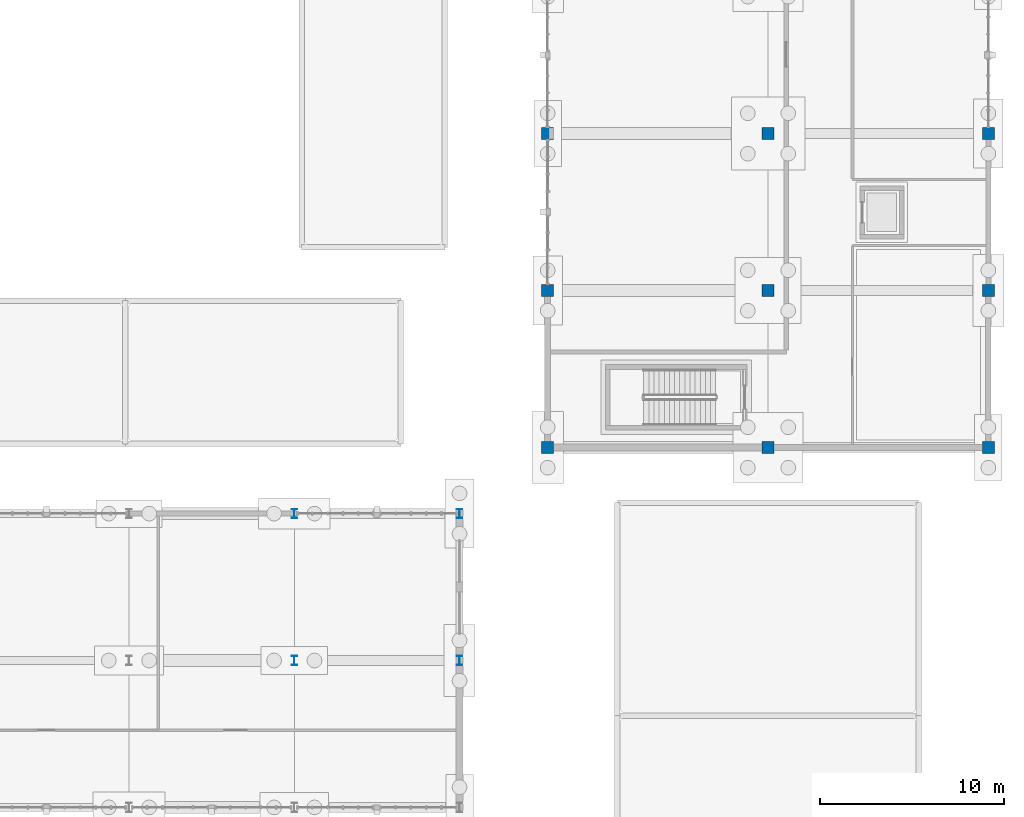
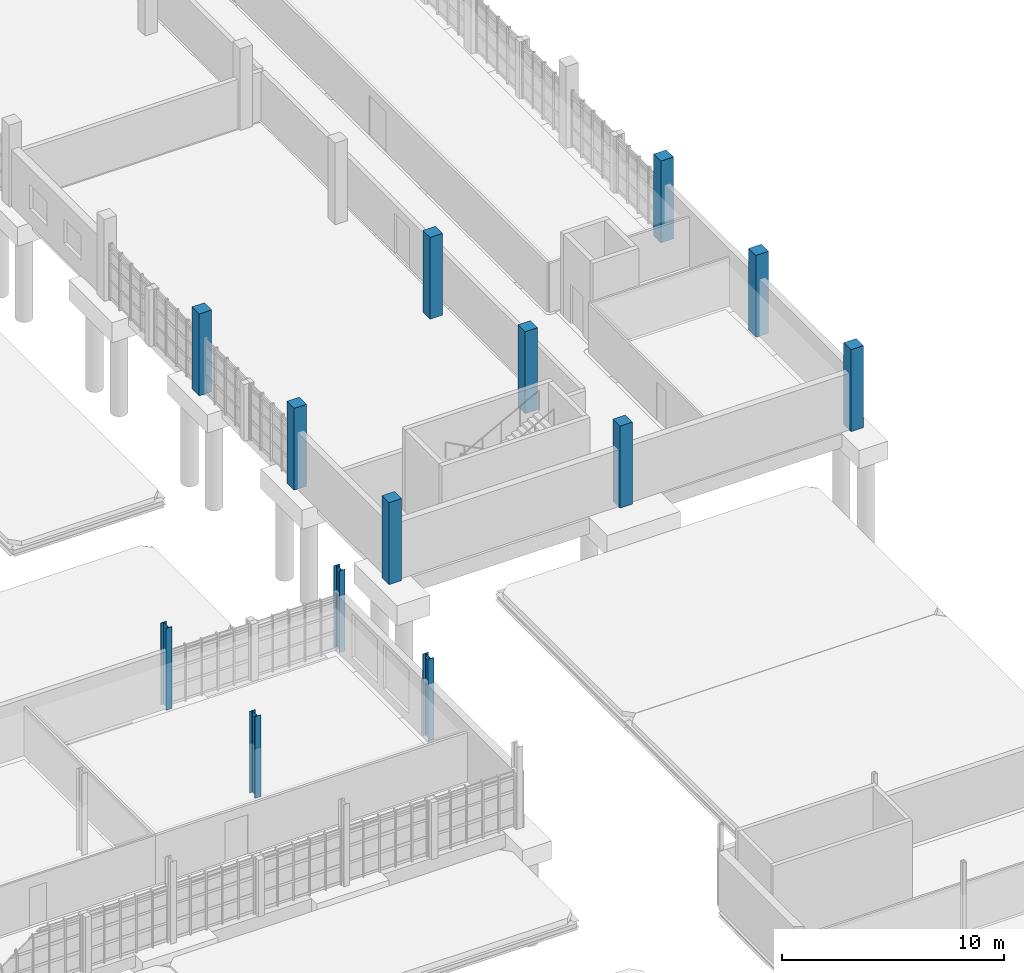
# One storey, part 12 of 125: 13 columns.
"""IFC4 building model written with IfcOpenShell, lengths in metres."""

from ifc_helpers import new_model, si_unit, direction, frame, origin, origin_2d, place, context, subcontext, project, spatial, rectangle, i_section, extrude, material, material_profile, profile_set, type_object, element, save


model = new_model("IFC4")

# Units and contexts
model_context = context("Model", 3, precision=1e-05, world=origin(), true_north=direction((0.0, 1.0)))
body_context = subcontext(model_context, "Body", "Model", "MODEL_VIEW")
ifc_project = project(units=[si_unit("LENGTHUNIT", "METRE"), si_unit("AREAUNIT", "SQUARE_METRE"), si_unit("VOLUMEUNIT", "CUBIC_METRE"), si_unit("PLANEANGLEUNIT", "RADIAN"), si_unit("MASSUNIT", "GRAM", prefix="KILO")], contexts=[model_context])

# Site, building, storey
site_placement = place(None, origin())
site = spatial("IfcSite", under=ifc_project, at=site_placement, CompositionType="ELEMENT")
building_placement = place(site_placement, origin())
building = spatial("IfcBuilding", under=site, at=building_placement, Name="Serraforn Aerial Cableway Station", CompositionType="ELEMENT")
storey_placement = place(building_placement, frame((0.0, 0.0, 4.5)))
storey = spatial("IfcBuildingStorey", under=building, at=storey_placement, Name="L01", CompositionType="ELEMENT", Elevation=4.5)

# Columns
ifc_material_1 = material(Name="Concrete C35/45", Category="concrete")
ifc_material_profile_1 = material_profile(ifc_material_1, rectangle(XDim=0.64990234375, YDim=0.64990234375, at=origin_2d()), Name="RC 650x650")
ifc_profile_set_1 = profile_set([ifc_material_profile_1], Name="Concrete C35/45")
column_type_1 = type_object("IfcColumnType", Name="COL-RC-650", PredefinedType="COLUMN", material=ifc_profile_set_1)
for number, where, z_axis, x_axis, name in (
    (1, (156.0, 54.14990234375, 0.0), (0.0, 0.0, 1.0), (1.0, 0.0, 0.0), "Column EG L01 20B-G"),
    (2, (156.0, 62.699951171875, 0.0), (0.0, 0.0, 1.0), (1.0, 0.0, 0.0), "Column EG L01 20B-H"),
):
    element("IfcColumn", number, at=place(storey_placement, frame(where, z_axis=z_axis, x_axis=x_axis)), inside=storey, type_object=column_type_1, Name=name, PredefinedType="COLUMN", context=body_context, shape_type="SweptSolid", body=[
        extrude(rectangle(XDim=0.64990234375, YDim=0.64990234375, at=origin_2d()), origin(), (0.0, 0.0, 1.0), 4.5),
    ])
ifc_material_profile_2 = material_profile(ifc_material_1, rectangle(XDim=0.64990234375, YDim=0.64990234375, at=origin_2d()), Name="RC 650x650")
ifc_profile_set_2 = profile_set([ifc_material_profile_2], Name="Concrete C35/45")
column_type_2 = type_object("IfcColumnType", Name="COL-RC-650E", PredefinedType="COLUMN", material=ifc_profile_set_2)
for number, where, z_axis, x_axis, name in (
    (3, (144.0, 45.60009765625, 0.0), (0.0, 0.0, 1.0), (1.0, 0.0, 0.0), "Column EG L01 19-F2"),
    (4, (144.0, 54.14990234375, 0.0), (0.0, 0.0, 1.0), (1.0, 0.0, 0.0), "Column EG L01 19-G"),
    (5, (144.0, 62.699951171875, 0.0), (0.0, 0.0, 1.0), (1.0, 0.0, 0.0), "Column EG L01 19-H"),
    (6, (156.0, 45.60009765625, 0.0), (0.0, 0.0, 1.0), (1.0, 0.0, 0.0), "Column EG L01 20B-F2"),
    (7, (168.0, 45.60009765625, 0.0), (0.0, 0.0, 1.0), (1.0, 0.0, 0.0), "Column EG L01 22-F2"),
    (8, (168.0, 54.14990234375, 0.0), (0.0, 0.0, 1.0), (1.0, 0.0, 0.0), "Column EG L01 22-G"),
    (9, (168.0, 62.699951171875, 0.0), (0.0, 0.0, 1.0), (1.0, 0.0, 0.0), "Column EG L01 22-H"),
):
    element("IfcColumn", number, at=place(storey_placement, frame(where, z_axis=z_axis, x_axis=x_axis)), inside=storey, type_object=column_type_2, Name=name, PredefinedType="COLUMN", context=body_context, shape_type="SweptSolid", body=[
        extrude(rectangle(XDim=0.64990234375, YDim=0.64990234375, at=origin_2d()), origin(), (0.0, 0.0, 1.0), 4.5),
    ])
ifc_material_2 = material(Name="Steel S355J2", Category="steel")
ifc_material_profile_3 = material_profile(ifc_material_2, i_section(OverallWidth=0.300048828125, OverallDepth=0.5, WebThickness=0.011962890625, FlangeThickness=0.02294921875, FilletRadius=0.027099609375, at=origin_2d()), Name="HEA 500")
ifc_profile_set_3 = profile_set([ifc_material_profile_3], Name="Steel S355J2")
column_type_3 = type_object("IfcColumnType", Name="COL-ST-HEA500", PredefinedType="COLUMN", material=ifc_profile_set_3)
for number, where, z_axis, x_axis, name in (
    (10, (130.199951171875, 34.0, 0.0), (0.0, 0.0, 1.0), (1.0, 0.0, 0.0), "Column EL L01 17-D2"),
    (11, (130.199951171875, 42.0, 0.0), (0.0, 0.0, 1.0), (1.0, 0.0, 0.0), "Column EL L01 17-F"),
    (12, (139.199951171875, 34.0, 0.0), (0.0, 0.0, 1.0), (1.0, 0.0, 0.0), "Column EL L01 18-D2"),
    (13, (139.199951171875, 42.0, 0.0), (0.0, 0.0, 1.0), (1.0, 0.0, 0.0), "Column EL L01 18-F"),
):
    element("IfcColumn", number, at=place(storey_placement, frame(where, z_axis=z_axis, x_axis=x_axis)), inside=storey, type_object=column_type_3, Name=name, PredefinedType="COLUMN", context=body_context, shape_type="SweptSolid", body=[
        extrude(i_section(OverallWidth=0.300048828125, OverallDepth=0.5, WebThickness=0.011962890625, FlangeThickness=0.02294921875, FilletRadius=0.027099609375, at=origin_2d()), origin(), (0.0, 0.0, 1.0), 4.5),
    ])

save(model, "model.ifc")
